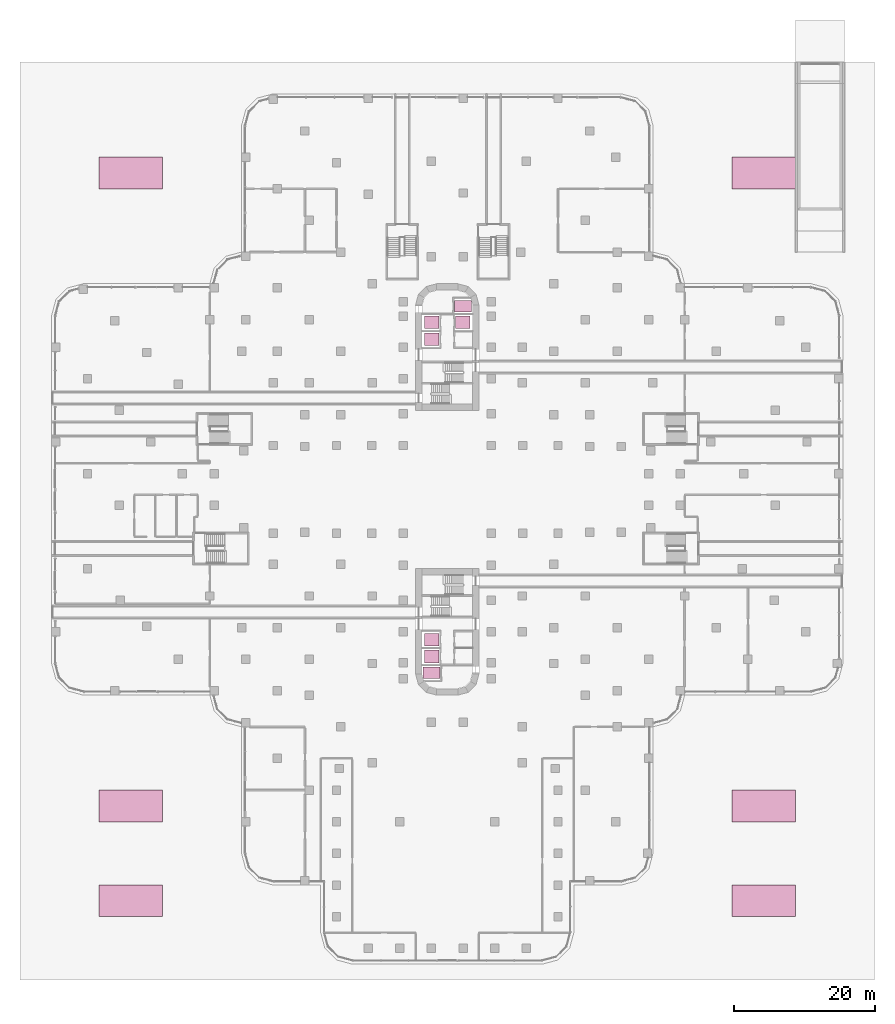
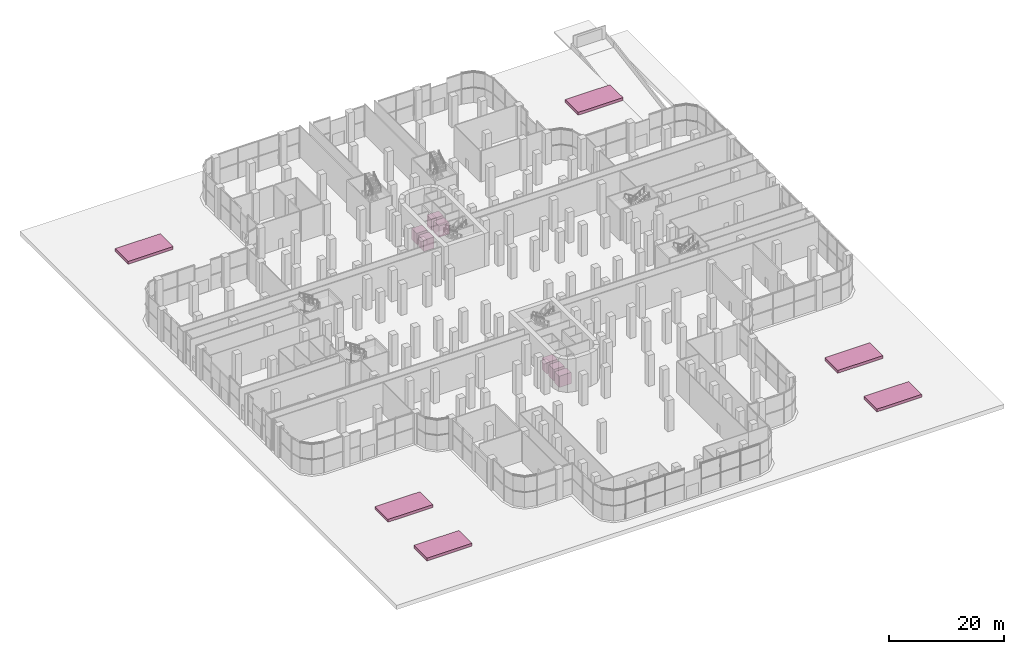
# One storey, part 34 of 34: 7 transport elements, 6 furniture elements.
"""IFC4 building model written with IfcOpenShell, lengths in metres."""

from ifc_helpers import new_model, si_unit, direction, frame, origin, origin_2d, place, context, subcontext, project, spatial, rectangle, extrude, material, type_object, element, save


model = new_model("IFC4")

# Units and contexts
model_context = context("Model", 3, precision=1e-05, world=origin(), true_north=direction((0.0, 1.0)))
body_context = subcontext(model_context, "Body", "Model", "MODEL_VIEW")
ifc_project = project(units=[si_unit("LENGTHUNIT", "METRE"), si_unit("AREAUNIT", "SQUARE_METRE"), si_unit("VOLUMEUNIT", "CUBIC_METRE"), si_unit("PLANEANGLEUNIT", "RADIAN"), si_unit("MASSUNIT", "GRAM", prefix="KILO")], contexts=[model_context])

# Site, building, storey
site_placement = place(None, origin())
site = spatial("IfcSite", under=ifc_project, at=site_placement, CompositionType="ELEMENT")
building_placement = place(site_placement, origin())
building = spatial("IfcBuilding", under=site, at=building_placement, Name="Zarbagh Exchange Tower", CompositionType="ELEMENT")
storey_placement = place(building_placement, origin())
storey = spatial("IfcBuildingStorey", under=building, at=storey_placement, Name="L00", CompositionType="ELEMENT", Elevation=0.0)

# Transport elements
ifc_material_1 = material(Name="Stainless steel", Category="steel")
transport_element_type_1 = type_object("IfcTransportElementType", Name="Firefighting and service lift car 2000 kg", PredefinedType="ELEVATOR", material=ifc_material_1)
for number, where, z_axis, x_axis, name in (
    (1, (2.25, 26.050048828125, 0.0), (0.0, 0.0, 1.0), (1.0, 0.0, 0.0), "Firefighting and service lift F-N (firefighting and service)"),
    (2, (-2.25, -26.050048828125, 0.0), (0.0, 0.0, 1.0), (1.0, 0.0, 0.0), "Firefighting and service lift F-S (firefighting and service)"),
):
    element("IfcTransportElement", number, at=place(storey_placement, frame(where, z_axis=z_axis, x_axis=x_axis)), inside=storey, type_object=transport_element_type_1, Name=name, PredefinedType="ELEVATOR", context=body_context, shape_type="SweptSolid", body=[
        extrude(rectangle(XDim=2.39990234375, YDim=1.60009765625, at=origin_2d()), origin(), (0.0, 0.0, 1.0), 2.39990234375),
    ])

# Furniture
ifc_material_2 = material(Name="Concrete C40/50", Category="concrete")
furniture_type = type_object("IfcFurnitureType", Name="PLANTER planting bed, concrete trough", AssemblyPlace="NOTDEFINED", PredefinedType="USERDEFINED", material=ifc_material_2)
for number, where, z_axis, x_axis, name in (
    (3, (-45.0, -58.5, 0.0), (0.0, 0.0, 1.0), (1.0, 0.0, 0.0), "GB01 garden planting bed"),
    (4, (-45.0, -45.0, 0.0), (0.0, 0.0, 1.0), (1.0, 0.0, 0.0), "GB01 garden planting bed"),
    (5, (-45.0, 45.0, 0.0), (0.0, 0.0, 1.0), (1.0, 0.0, 0.0), "GB01 garden planting bed"),
    (6, (45.0, -58.5, 0.0), (0.0, 0.0, 1.0), (1.0, 0.0, 0.0), "GB01 garden planting bed"),
    (7, (45.0, -45.0, 0.0), (0.0, 0.0, 1.0), (1.0, 0.0, 0.0), "GB01 garden planting bed"),
    (8, (45.0, 45.0, 0.0), (0.0, 0.0, 1.0), (1.0, 0.0, 0.0), "GB01 garden planting bed"),
):
    element("IfcFurniture", number, at=place(storey_placement, frame(where, z_axis=z_axis, x_axis=x_axis)), inside=storey, type_object=furniture_type, Name=name, ObjectType="PLANTER", PredefinedType="USERDEFINED", context=body_context, shape_type="SweptSolid", body=[
        extrude(rectangle(XDim=9.0, YDim=4.5, at=origin_2d()), origin(), (0.0, 0.0, 1.0), 0.60009765625),
    ])

# Transport elements
transport_element_type_2 = type_object("IfcTransportElementType", Name="Passenger lift car 1800 kg", PredefinedType="ELEVATOR", material=ifc_material_1)
for number, where, z_axis, x_axis, name in (
    (9, (-2.199951171875, 23.75, 0.0), (0.0, 0.0, 1.0), (1.0, 0.0, 0.0), "Passenger lift P-N1 (low-rise)"),
    (10, (-2.199951171875, 21.35009765625, 0.0), (0.0, 0.0, 1.0), (1.0, 0.0, 0.0), "Passenger lift P-N2 (low-rise)"),
    (11, (2.199951171875, 23.75, 0.0), (0.0, 0.0, 1.0), (1.0, 0.0, 0.0), "Passenger lift P-N3 (low-rise)"),
):
    element("IfcTransportElement", number, at=place(storey_placement, frame(where, z_axis=z_axis, x_axis=x_axis)), inside=storey, type_object=transport_element_type_2, Name=name, PredefinedType="ELEVATOR", context=body_context, shape_type="SweptSolid", body=[
        extrude(rectangle(XDim=2.10009765625, YDim=1.800048828125, at=origin_2d()), origin(), (0.0, 0.0, 1.0), 2.39990234375),
    ])
transport_element_type_3 = type_object("IfcTransportElementType", Name="Shuttle lift car 1800 kg", PredefinedType="ELEVATOR", material=ifc_material_1)
for number, where, z_axis, x_axis, name in (
    (12, (-2.199951171875, -23.75, 0.0), (0.0, 0.0, 1.0), (1.0, 0.0, 0.0), "Shuttle lift SH-S1 (shuttle)"),
    (13, (-2.199951171875, -21.35009765625, 0.0), (0.0, 0.0, 1.0), (1.0, 0.0, 0.0), "Shuttle lift SH-S2 (shuttle)"),
):
    element("IfcTransportElement", number, at=place(storey_placement, frame(where, z_axis=z_axis, x_axis=x_axis)), inside=storey, type_object=transport_element_type_3, Name=name, PredefinedType="ELEVATOR", context=body_context, shape_type="SweptSolid", body=[
        extrude(rectangle(XDim=2.10009765625, YDim=1.800048828125, at=origin_2d()), origin(), (0.0, 0.0, 1.0), 2.39990234375),
    ])

save(model, "model.ifc")
